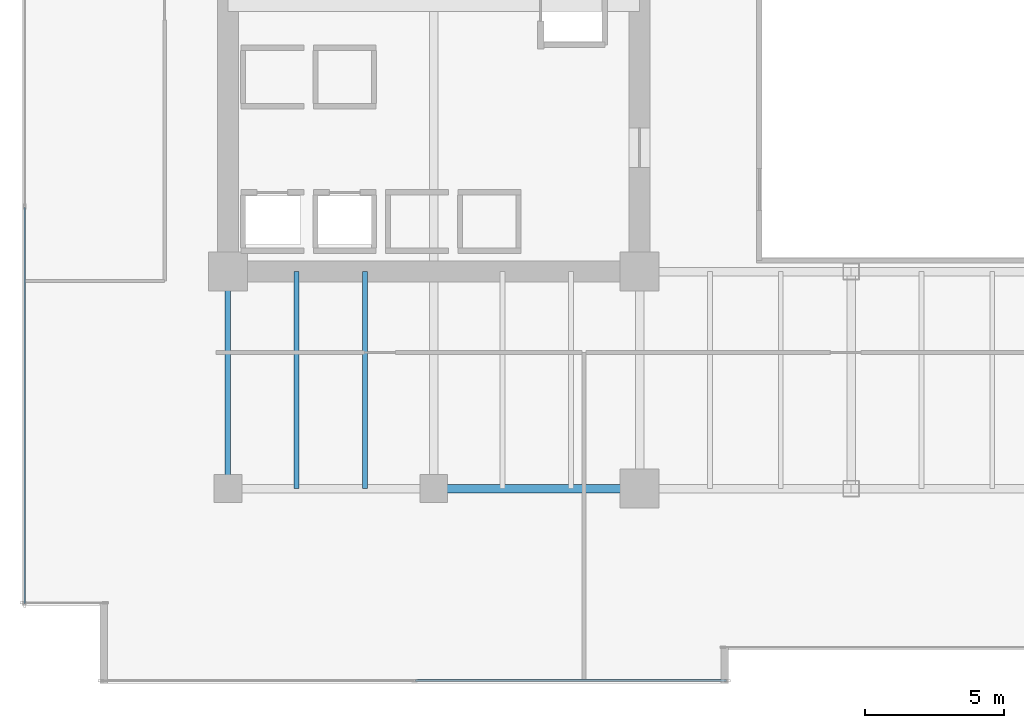
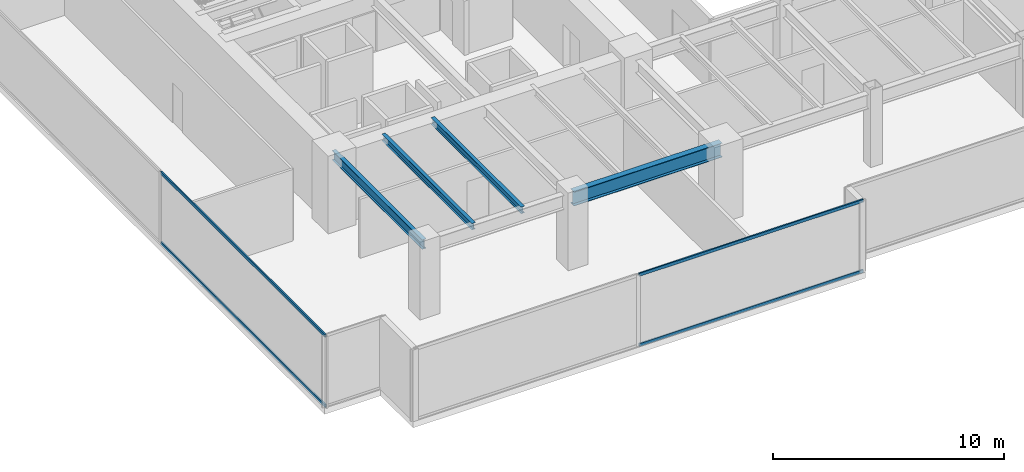
# One storey, part 3 of 35: 4 beams, 4 members, 2 elements without a shape of their own.
"""IFC4 building model written with IfcOpenShell, lengths in metres."""

from ifc_helpers import new_model, si_unit, direction, frame, origin, origin_2d, place, context, subcontext, project, spatial, hollow_rectangle, i_section, extrude, source, transform, mapped, material, layer, layer_set, material_profile, profile_set, type_object, type_shapes, element, aggregate, save


model = new_model("IFC4")

# Units and contexts
model_context = context("Model", 3, precision=1e-05, world=origin(), true_north=direction((0.0, 1.0)))
body_context = subcontext(model_context, "Body", "Model", "MODEL_VIEW")
ifc_project = project(units=[si_unit("LENGTHUNIT", "METRE"), si_unit("AREAUNIT", "SQUARE_METRE"), si_unit("VOLUMEUNIT", "CUBIC_METRE"), si_unit("PLANEANGLEUNIT", "RADIAN"), si_unit("MASSUNIT", "GRAM", prefix="KILO")], contexts=[model_context])

# Site, building, storey
site_placement = place(None, origin())
site = spatial("IfcSite", under=ifc_project, at=site_placement, CompositionType="ELEMENT")
building_placement = place(site_placement, origin())
building = spatial("IfcBuilding", under=site, at=building_placement, Name="Haelvirn Gate Laboratories", CompositionType="ELEMENT")
storey_placement = place(building_placement, frame((0.0, 0.0, 66.199951171875)))
storey = spatial("IfcBuildingStorey", under=building, at=storey_placement, Name="L16", CompositionType="ELEMENT", Elevation=66.199951171875)

# Beams
ifc_material_1 = material(Name="Steel SM355", Category="steel")
ifc_material_profile_1 = material_profile(ifc_material_1, i_section(OverallWidth=0.300048828125, OverallDepth=0.75, WebThickness=0.013916015625, FlangeThickness=0.02392578125, at=origin_2d()), Name="H-750x300x14x24")
ifc_profile_set_1 = profile_set([ifc_material_profile_1], Name="Steel SM355")
beam_type_1 = type_object("IfcBeamType", Name="BM-G-750", PredefinedType="BEAM", material=ifc_profile_set_1)
shared_shape_1 = source(origin(), body_context, "Body", "SweptSolid", [
    extrude(i_section(OverallWidth=0.300048828125, OverallDepth=0.75, WebThickness=0.013916015625, FlangeThickness=0.02392578125, at=origin_2d()), origin(), (0.0, 0.0, 1.0), 7.39990234375),
])
type_shapes(beam_type_1, [shared_shape_1])
beam_1_placement = place(storey_placement, frame((14.800048828125, 7.0, 3.405029296875), z_axis=(1.0, 0.0, 0.0), x_axis=(0.0, 1.0, 0.0)))
element("IfcBeam", 1, at=beam_1_placement, inside=storey, type_object=beam_type_1, Name="L16 Primary Girder Y7.0 (14.8-22.2)", PredefinedType="BEAM", context=body_context, shape_type="MappedRepresentation", body=[
    mapped(shared_shape_1, transform((0.0, 0.0, 0.0), scale=1.0)),
])
ifc_material_profile_2 = material_profile(ifc_material_1, i_section(OverallWidth=0.199951171875, OverallDepth=0.5, WebThickness=0.010009765625, FlangeThickness=0.01611328125, at=origin_2d()), Name="H-500x200x10x16")
ifc_profile_set_2 = profile_set([ifc_material_profile_2], Name="Steel SM355")
beam_type_2 = type_object("IfcBeamType", Name="BM-SP-500", PredefinedType="SPANDREL", material=ifc_profile_set_2)
shared_shape_2 = source(origin(), body_context, "Body", "SweptSolid", [
    extrude(i_section(OverallWidth=0.199951171875, OverallDepth=0.5, WebThickness=0.010009765625, FlangeThickness=0.01611328125, at=origin_2d()), origin(), (0.0, 0.0, 1.0), 7.800048828125),
])
type_shapes(beam_type_2, [shared_shape_2])
beam_2_placement = place(storey_placement, frame((7.39990234375, 7.0, 3.530029296875), z_axis=(0.0, 1.0, 0.0), x_axis=(-1.0, 0.0, 0.0)))
element("IfcBeam", 2, at=beam_2_placement, inside=storey, type_object=beam_type_2, Name="L16 Perimeter Spandrel X7.4 (7.0-14.8)", PredefinedType="SPANDREL", context=body_context, shape_type="MappedRepresentation", body=[
    mapped(shared_shape_2, transform((0.0, 0.0, 0.0), scale=1.0)),
])
ifc_material_profile_3 = material_profile(ifc_material_1, i_section(OverallWidth=0.175048828125, OverallDepth=0.35009765625, WebThickness=0.007080078125, FlangeThickness=0.010986328125, at=origin_2d()), Name="H-350x175x7x11")
ifc_profile_set_3 = profile_set([ifc_material_profile_3], Name="Steel SM355")
beam_type_3 = type_object("IfcBeamType", Name="BM-J-350", PredefinedType="JOIST", material=ifc_profile_set_3)
shared_shape_3 = source(origin(), body_context, "Body", "SweptSolid", [
    extrude(i_section(OverallWidth=0.175048828125, OverallDepth=0.35009765625, WebThickness=0.007080078125, FlangeThickness=0.010986328125, at=origin_2d()), origin(), (0.0, 0.0, 1.0), 7.800048828125),
])
type_shapes(beam_type_3, [shared_shape_3])
for number, where, z_axis, x_axis, name in (
    (3, (9.8701171875, 7.0, 3.60498046875), (0.0, 1.0, 0.0), (-1.0, 0.0, 0.0), "L16 Composite Lab Joist South X9.87"),
    (4, (12.330078125, 7.0, 3.60498046875), (0.0, 1.0, 0.0), (-1.0, 0.0, 0.0), "L16 Composite Lab Joist South X12.33"),
):
    element("IfcBeam", number, at=place(storey_placement, frame(where, z_axis=z_axis, x_axis=x_axis)), inside=storey, type_object=beam_type_3, Name=name, PredefinedType="JOIST", context=body_context, shape_type="MappedRepresentation", body=[
        mapped(shared_shape_3, transform((0.0, 0.0, 0.0), scale=1.0)),
    ])

# Curtain wall, members
ifc_material_2 = material(Name="Anodised bronze unitised aluminium & triple low-E glass", Category="aluminium")
ifc_layer = layer(ifc_material_2, 0.18408203125, Name="CW-SYS-2")
ifc_layer_set = layer_set([ifc_layer], Name="Anodised bronze unitised aluminium & triple low-E glass")
curtain_wall_type = type_object("IfcCurtainWallType", Name="CW-SYS-2", PredefinedType="NOTDEFINED", material=ifc_layer_set)
curtain_wall_1_placement = place(storey_placement, origin())
curtain_wall_1 = element("IfcCurtainWall", 5, at=curtain_wall_1_placement, inside=storey, type_object=curtain_wall_type, Name="L16 Unitised Curtain Wall CW-L16-P0-E00-1", PredefinedType="NOTDEFINED")
ifc_material_3 = material(Name="Extruded aluminium 6063-T6 (anodised bronze)", Category="aluminium")
ifc_material_profile_4 = material_profile(ifc_material_3, hollow_rectangle(XDim=0.070068359375, YDim=0.159912109375, WallThickness=0.0048828125, at=origin_2d()), Name="CWT-160x70x5")
ifc_profile_set_4 = profile_set([ifc_material_profile_4], Name="Extruded aluminium 6063-T6 (anodised bronze)")
member_type = type_object("IfcMemberType", Name="CWT-T160", PredefinedType="USERDEFINED", material=ifc_profile_set_4)
shared_shape_4 = source(origin(), body_context, "Body", "SweptSolid", [
    extrude(hollow_rectangle(XDim=0.070068359375, YDim=0.159912109375, WallThickness=0.0048828125, at=origin_2d()), origin(), (0.0, 0.0, 1.0), 11.1875),
])
member_1_placement = place(storey_placement, frame((14.137451171875, 0.10009765625, 0.03515625), z_axis=(1.0, 0.0, 0.0), x_axis=(0.0, 1.0, 0.0)))
member_1 = element("IfcMember", 6, at=member_1_placement, type_object=member_type, Name="CW2 transom 2.1", ObjectType="TRANSOM", PredefinedType="USERDEFINED", context=body_context, shape_type="MappedRepresentation", body=[
    mapped(shared_shape_4, transform((0.0, 0.0, 0.0), scale=1.0)),
])
member_2_placement = place(storey_placement, frame((14.137451171875, 0.10009765625, 3.7451171875), z_axis=(1.0, 0.0, 0.0), x_axis=(0.0, 1.0, 0.0)))
member_2 = element("IfcMember", 7, at=member_2_placement, type_object=member_type, Name="CW2 transom 2.2", ObjectType="TRANSOM", PredefinedType="USERDEFINED", context=body_context, shape_type="MappedRepresentation", body=[
    mapped(shared_shape_4, transform((0.0, 0.0, 0.0), scale=1.0)),
])
aggregate(curtain_wall_1, [member_1, member_2])

curtain_wall_2_placement = place(storey_placement, origin())
curtain_wall_2 = element("IfcCurtainWall", 8, at=curtain_wall_2_placement, inside=storey, type_object=curtain_wall_type, Name="L16 Unitised Curtain Wall CW-L16-P0-E17", PredefinedType="NOTDEFINED")
shared_shape_5 = source(origin(), body_context, "Body", "SweptSolid", [
    extrude(hollow_rectangle(XDim=0.070068359375, YDim=0.159912109375, WallThickness=0.0048828125, at=origin_2d()), origin(), (0.0, 0.0, 1.0), 14.220947265625),
])
type_shapes(member_type, [shared_shape_4, shared_shape_5])
member_3_placement = place(storey_placement, frame((0.10009765625, 17.095947265625, 0.03515625), z_axis=(0.0, -1.0, 0.0), x_axis=(1.0, 0.0, 0.0)))
member_3 = element("IfcMember", 9, at=member_3_placement, type_object=member_type, Name="CW2 transom 3.1", ObjectType="TRANSOM", PredefinedType="USERDEFINED", context=body_context, shape_type="MappedRepresentation", body=[
    mapped(shared_shape_5, transform((0.0, 0.0, 0.0), scale=1.0)),
])
member_4_placement = place(storey_placement, frame((0.10009765625, 17.095947265625, 3.7451171875), z_axis=(0.0, -1.0, 0.0), x_axis=(1.0, 0.0, 0.0)))
member_4 = element("IfcMember", 10, at=member_4_placement, type_object=member_type, Name="CW2 transom 3.2", ObjectType="TRANSOM", PredefinedType="USERDEFINED", context=body_context, shape_type="MappedRepresentation", body=[
    mapped(shared_shape_5, transform((0.0, 0.0, 0.0), scale=1.0)),
])
aggregate(curtain_wall_2, [member_3, member_4])

save(model, "model.ifc")
